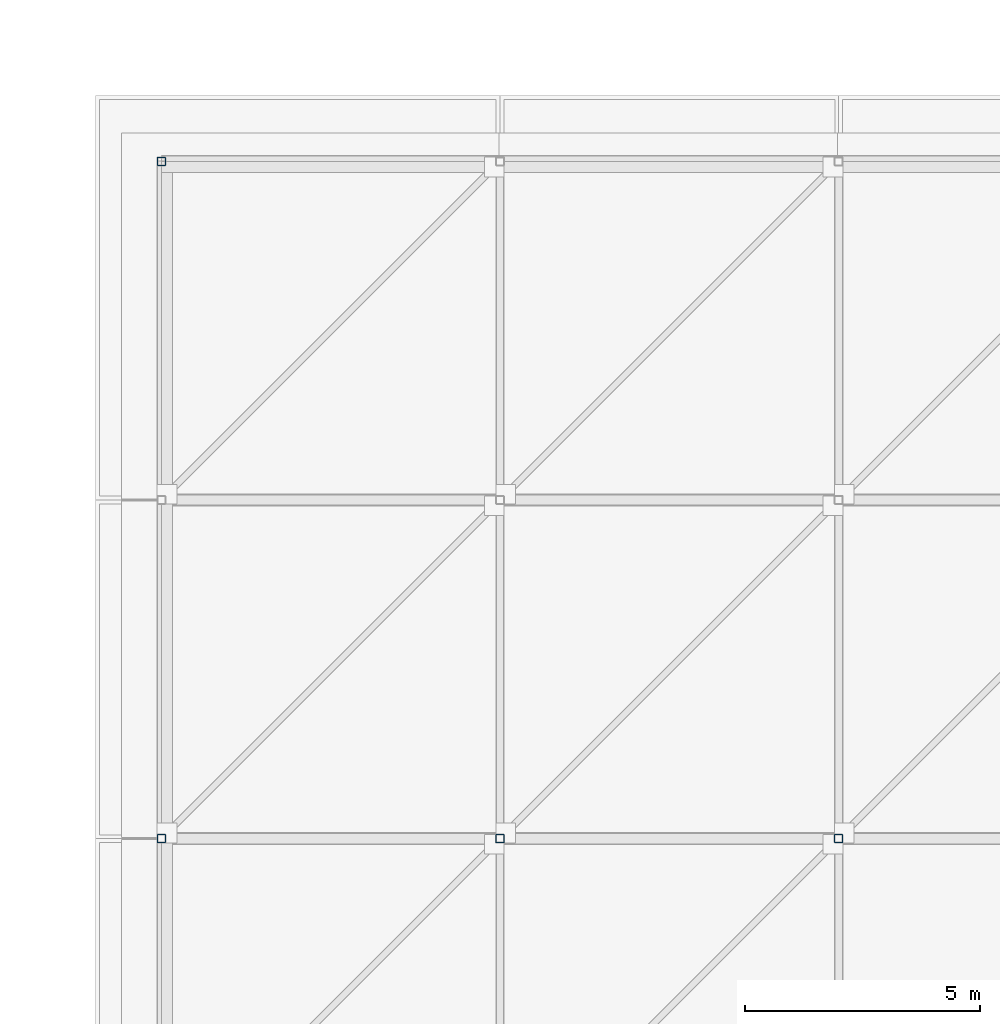
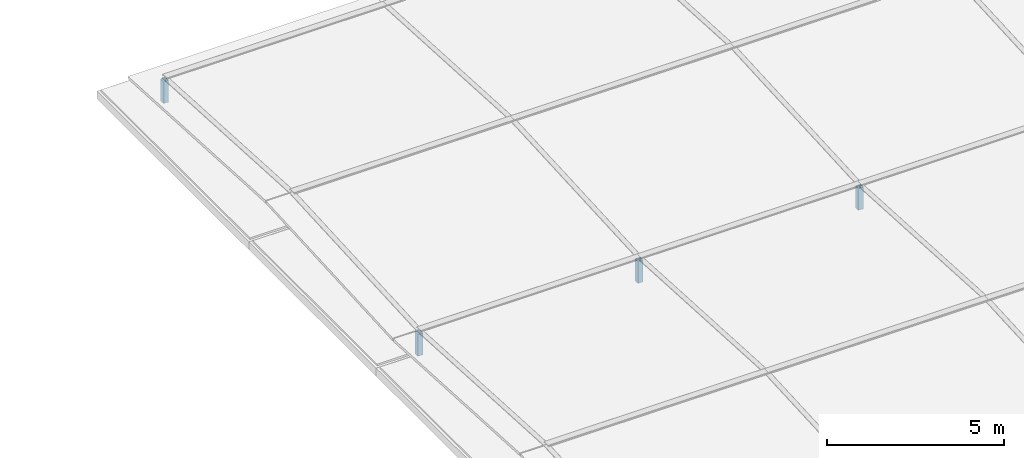
# One storey, part 9 of 15: 4 members.
"""IFC4 building model written with IfcOpenShell, lengths in metres."""

import ifcopenshell
import ifcopenshell.guid

model = None  # the IFC model being written
_history = None  # IfcOwnerHistory: only IFC2X3 demands one
_inside = {}  # id of a spatial element -> (the spatial element, [elements in it])
_under = {}  # id of a project, library or spatial element -> (it, [spatial elements below it])
_declared = {}  # id of a project -> (the project, [libraries it declares])
_typed = {}  # id of a type object -> (the type object, [elements of that type])
_made_of = {}  # id of a material, layer set ... -> (it, [elements and type objects made of it])


def new_model(schema):
    """Start an empty IFC model of exactly this schema.

    Asked for "IFC4X3", IfcOpenShell would pick the latest addendum, in which some entities
    have other attributes; the version numbers below select the first issue.
    IFC2X3 requires an IfcOwnerHistory on every rooted entity: one is made here for all.
    """
    global model, _history
    if schema == "IFC4X3":
        model = ifcopenshell.file(schema_version=(4, 3, 0, 0))
    else:
        model = ifcopenshell.file(schema=schema)
    _inside.clear()
    _under.clear()
    _declared.clear()
    _typed.clear()
    _made_of.clear()
    _history = None
    if model.schema == "IFC2X3":
        org = make("IfcOrganization", Name="unknown")
        user = make(
            "IfcPersonAndOrganization",
            ThePerson=make("IfcPerson", FamilyName="unknown"),
            TheOrganization=org,
        )
        app = make(
            "IfcApplication",
            ApplicationDeveloper=org,
            Version="unknown",
            ApplicationFullName="unknown",
            ApplicationIdentifier="unknown",
        )
        _history = make(
            "IfcOwnerHistory",
            OwningUser=user,
            OwningApplication=app,
            ChangeAction="ADDED",
            CreationDate=0,
        )
    return model


def make(cls, **values):
    """One entity of the class cls with the attributes given. An attribute that is None is left unset."""
    return model.create_entity(
        cls, **{name: value for name, value in values.items() if value is not None}
    )


def rooted(cls, **values):
    """An entity with a GlobalId (a new one), such as an element, a storey or a relation."""
    return make(cls, GlobalId=ifcopenshell.guid.new(), OwnerHistory=_history, **values)


def si_unit(unit_type, name, prefix=None):
    """IfcSIUnit, for example si_unit("LENGTHUNIT", "METRE", prefix="MILLI")."""
    return make("IfcSIUnit", UnitType=unit_type, Prefix=prefix, Name=name)


def assignment(units):
    """IfcUnitAssignment: the units of a project."""
    return None if units is None else make("IfcUnitAssignment", Units=units)


def point(xyz):
    """IfcCartesianPoint."""
    return None if xyz is None else make("IfcCartesianPoint", Coordinates=xyz)


def direction(xyz):
    """IfcDirection."""
    return None if xyz is None else make("IfcDirection", DirectionRatios=xyz)


def frame(location, z_axis=None, x_axis=None):
    """IfcAxis2Placement3D, a coordinate frame: its origin and axes. An axis left out is left unset."""
    return make(
        "IfcAxis2Placement3D",
        Location=point(location),
        Axis=direction(z_axis),
        RefDirection=direction(x_axis),
    )


def frame_2d(location, x_axis=None):
    """IfcAxis2Placement2D, a coordinate frame in the plane: its origin and x axis."""
    return make(
        "IfcAxis2Placement2D", Location=point(location), RefDirection=direction(x_axis)
    )


def origin():
    """The frame at (0, 0, 0) with its axes left unset."""
    return frame((0.0, 0.0, 0.0))


def origin_2d():
    """The frame at (0, 0) in the plane with its x axis left unset."""
    return frame_2d((0.0, 0.0))


def place(relative_to, where):
    """IfcLocalPlacement: puts the frame where relative to a parent placement (None: the world)."""
    return make(
        "IfcLocalPlacement", PlacementRelTo=relative_to, RelativePlacement=where
    )


def context(
    kind, dimensions, precision=None, world=None, true_north=None, identifier=None
):
    """IfcGeometricRepresentationContext, for example the 3D "Model" context."""
    return make(
        "IfcGeometricRepresentationContext",
        ContextIdentifier=identifier,
        ContextType=kind,
        CoordinateSpaceDimension=dimensions,
        Precision=precision,
        WorldCoordinateSystem=world,
        TrueNorth=true_north,
    )


def subcontext(parent, identifier, kind, view, scale=None):
    """IfcGeometricRepresentationSubContext, for example "Body" below "Model"."""
    return make(
        "IfcGeometricRepresentationSubContext",
        ContextIdentifier=identifier,
        ContextType=kind,
        ParentContext=parent,
        TargetScale=scale,
        TargetView=view,
    )


def project(units=None, contexts=None):
    """IfcProject with its units and contexts."""
    return rooted(
        "IfcProject",
        Name="project",
        RepresentationContexts=contexts,
        UnitsInContext=assignment(units),
    )


def spatial(cls, under=None, at=None, **own):
    """A site, building, storey or space (cls), placed at a placement, below another one or the project."""
    s = rooted(cls, ObjectPlacement=at, **own)
    if under is not None:
        _under.setdefault(under.id(), (under, []))[1].append(s)
    return s


def profile(cls, at=None, kind="AREA", **sizes):
    """A parametric profile (cls). Its sizes go by their IFC names, for example OverallWidth=200.0."""
    return make(cls, ProfileType=kind, Position=at, **sizes)


def hollow_rectangle(**sizes):
    """IfcRectangleHollowProfileDef."""
    return profile("IfcRectangleHollowProfileDef", **sizes)


def extrude(swept, where, along, depth):
    """IfcExtrudedAreaSolid: the profile swept, set in the frame where, extruded along a direction by depth."""
    return make(
        "IfcExtrudedAreaSolid",
        SweptArea=swept,
        Position=where,
        ExtrudedDirection=direction(along),
        Depth=depth,
    )


def shape(context_of_items, identifier, shape_type, items):
    """IfcShapeRepresentation: the items that make up one representation, for example the "Body"."""
    return make(
        "IfcShapeRepresentation",
        ContextOfItems=context_of_items,
        RepresentationIdentifier=identifier,
        RepresentationType=shape_type,
        Items=items,
    )


def material(Name=None, Category=None):
    """IfcMaterial."""
    return make("IfcMaterial", Name=Name, Category=Category)


def material_profile(
    of_material, cross_section, Name=None, Category=None, Priority=None
):
    """IfcMaterialProfile: a cross section and its material."""
    return make(
        "IfcMaterialProfile",
        Name=Name,
        Material=of_material,
        Profile=cross_section,
        Priority=Priority,
        Category=Category,
    )


def profile_set(profiles, Name=None, composite=None):
    """IfcMaterialProfileSet."""
    return make(
        "IfcMaterialProfileSet",
        Name=Name,
        MaterialProfiles=profiles,
        CompositeProfile=composite,
    )


def made_of(thing, what):
    """Note that an element or type object is made of a material, layer set ...; save() writes the relation."""
    if what is not None:
        _made_of.setdefault(what.id(), (what, []))[1].append(thing)
    return thing


def type_object(cls, material=None, **own):
    """A type object (cls), such as IfcWallType, which elements share."""
    return made_of(rooted(cls, **own), material)


def element(
    cls,
    number,
    at=None,
    inside=None,
    cuts=None,
    type_object=None,
    material=None,
    context=None,
    identifier="Body",
    shape_type=None,
    held_by="IfcProductDefinitionShape",
    body=None,
    shapes=None,
    **own,
):
    """One element of the class cls, such as IfcWall. Its Tag is "e" and its number.

    at: its placement. inside: the storey or other place that contains it. cuts: it is an
    opening in that element (IfcRelVoidsElement). A single representation is given by context,
    identifier, shape_type and body (its items); several are given by shapes. held_by: the class
    of the entity that holds the representations. save() writes the other relations.
    """
    e = rooted(cls, Tag="e%d" % number, ObjectPlacement=at, **own)
    if body is not None:
        shapes = [shape(context, identifier, shape_type, body)]
    if shapes is not None:
        e.Representation = make(held_by, Representations=shapes)
    if inside is not None:
        _inside.setdefault(inside.id(), (inside, []))[1].append(e)
    if cuts is not None:
        rooted(
            "IfcRelVoidsElement", RelatingBuildingElement=cuts, RelatedOpeningElement=e
        )
    if type_object is not None:
        _typed.setdefault(type_object.id(), (type_object, []))[1].append(e)
    return made_of(e, material)


def aggregate(whole, parts):
    """IfcRelAggregates: a whole, such as a stair, and the parts it consists of."""
    return rooted("IfcRelAggregates", RelatingObject=whole, RelatedObjects=parts)


def save(model, path):
    """Write the relations noted so far, then the file.

    IfcRelAggregates (storeys below a building ...), IfcRelContainedInSpatialStructure (elements
    in a storey), IfcRelDefinesByType, IfcRelAssociatesMaterial and IfcRelDeclares: one each for
    every whole, place, type object, material and project.
    """
    for whole, parts in _under.values():
        aggregate(whole, parts)
    for where, things in _inside.values():
        rooted(
            "IfcRelContainedInSpatialStructure",
            RelatedElements=things,
            RelatingStructure=where,
        )
    for kind, things in _typed.values():
        rooted("IfcRelDefinesByType", RelatedObjects=things, RelatingType=kind)
    for what, things in _made_of.values():
        rooted("IfcRelAssociatesMaterial", RelatedObjects=things, RelatingMaterial=what)
    for by, libraries in _declared.values():
        rooted("IfcRelDeclares", RelatingContext=by, RelatedDefinitions=libraries)
    model.write(path)


model = new_model("IFC4")

# Units and contexts
model_context = context("Model", 3, precision=1e-05, world=origin(), true_north=direction((0.0, 1.0)))
body_context = subcontext(model_context, "Body", "Model", "MODEL_VIEW")
ifc_project = project(units=[si_unit("LENGTHUNIT", "METRE"), si_unit("AREAUNIT", "SQUARE_METRE"), si_unit("VOLUMEUNIT", "CUBIC_METRE"), si_unit("PLANEANGLEUNIT", "RADIAN"), si_unit("MASSUNIT", "GRAM", prefix="KILO")], contexts=[model_context])

# Site, building, storey
site_placement = place(None, origin())
site = spatial("IfcSite", under=ifc_project, at=site_placement, CompositionType="ELEMENT")
building_placement = place(site_placement, origin())
building = spatial("IfcBuilding", under=site, at=building_placement, Name="Kavelor Marine Aquarium", CompositionType="ELEMENT")
storey_placement = place(building_placement, frame((0.0, 0.0, 25.56005859375)))
storey = spatial("IfcBuildingStorey", under=building, at=storey_placement, Name="RF", CompositionType="ELEMENT", Elevation=25.56005859375)

# Members
ifc_material = material(Name="Steel S355", Category="steel")
ifc_material_profile = material_profile(ifc_material, hollow_rectangle(XDim=0.179931640625, YDim=0.179931640625, WallThickness=0.008056640625, InnerFilletRadius=0.011962890625, OuterFilletRadius=0.02001953125, at=origin_2d()), Name="SHS 180x180x8.0")
ifc_profile_set = profile_set([ifc_material_profile], Name="Steel S355")
member_type = type_object("IfcMemberType", Name="ST-PV2", PredefinedType="CHORD", material=ifc_profile_set)
for number, where, z_axis, x_axis, name in (
    (1, (118.39990234375, 89.199951171875, 0.0), (0.0, 0.0, 1.0), (1.0, 0.0, 0.0), "pv:p:16_12"),
    (2, (125.60009765625, 89.199951171875, 0.0), (0.0, 0.0, 1.0), (1.0, 0.0, 0.0), "pv:p:17_12"),
    (3, (118.39990234375, 103.60009765625, 0.0), (0.0, 0.0, 1.0), (1.0, 0.0, 0.0), "pv:p:16_14"),
    (4, (132.800048828125, 89.199951171875, 0.0), (0.0, 0.0, 1.0), (1.0, 0.0, 0.0), "pv:p:18_12"),
):
    element("IfcMember", number, at=place(storey_placement, frame(where, z_axis=z_axis, x_axis=x_axis)), inside=storey, type_object=member_type, Name=name, PredefinedType="CHORD", context=body_context, shape_type="SweptSolid", body=[
        extrude(hollow_rectangle(XDim=0.179931640625, YDim=0.179931640625, WallThickness=0.008056640625, InnerFilletRadius=0.011962890625, OuterFilletRadius=0.02001953125, at=origin_2d()), origin(), (0.0, 0.0, 1.0), 0.75),
    ])

save(model, "model.ifc")
